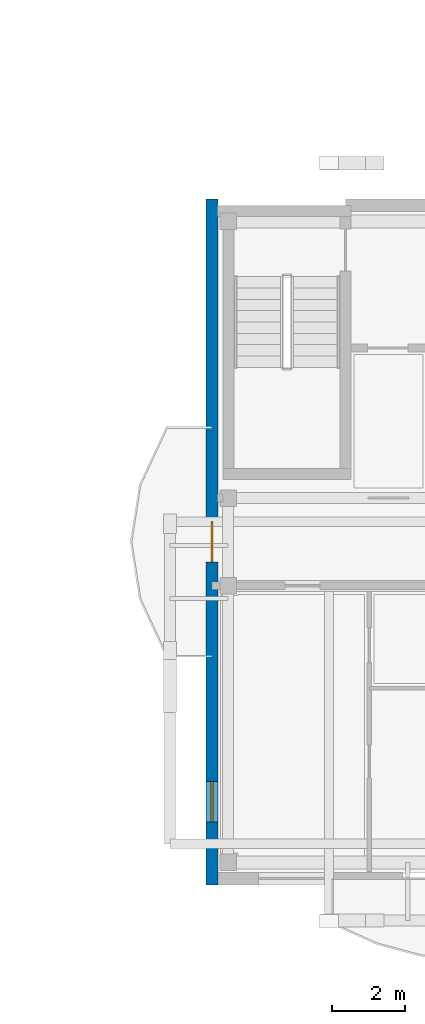
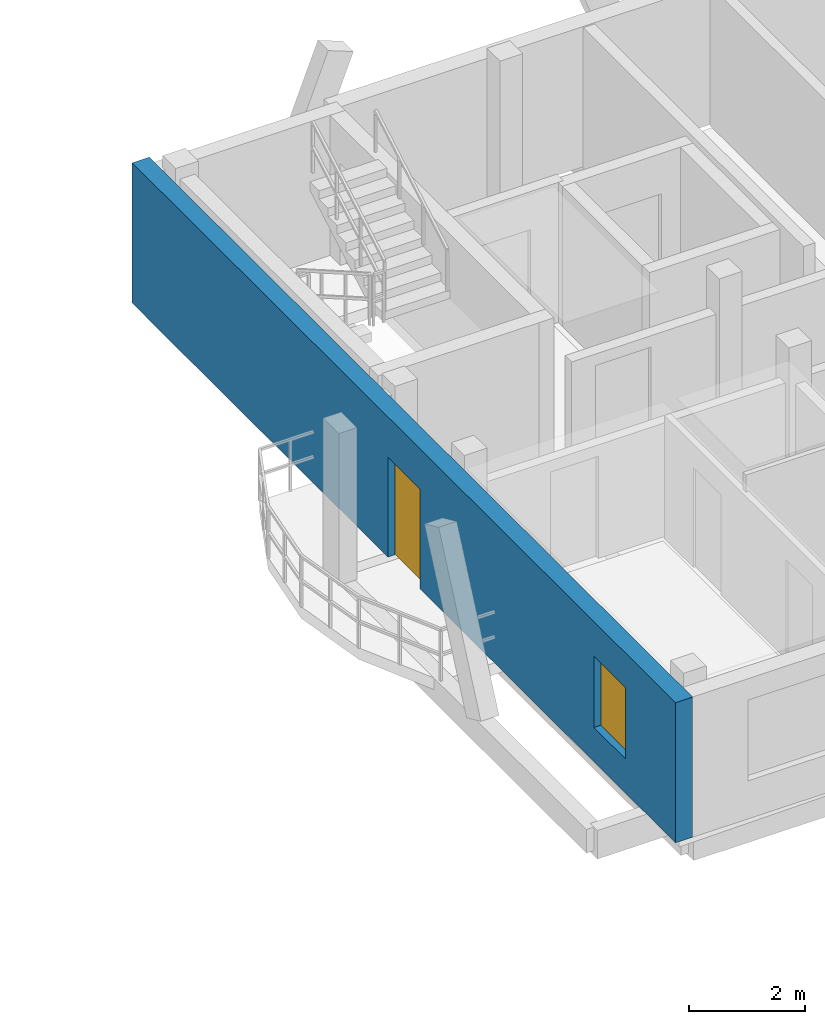
# One storey, part 19 of 42: 1 door, 1 wall, 1 window, 2 openings.
"""IFC4 building model written with IfcOpenShell, lengths in metres."""

from ifc_helpers import new_model, si_unit, direction, frame, frame_2d, origin, origin_with_axes, place, context, subcontext, project, spatial, rectangle, extrude, material, layer, layer_set, type_object, element, fill, save


model = new_model("IFC4")

# Units and contexts
model_context = context("Model", 3, precision=1e-05, world=origin(), true_north=direction((0.0, 1.0)))
body_context = subcontext(model_context, "Body", "Model", "MODEL_VIEW")
ifc_project = project(units=[si_unit("LENGTHUNIT", "METRE"), si_unit("AREAUNIT", "SQUARE_METRE"), si_unit("VOLUMEUNIT", "CUBIC_METRE"), si_unit("PLANEANGLEUNIT", "RADIAN"), si_unit("MASSUNIT", "GRAM", prefix="KILO")], contexts=[model_context])

# Site, building, storey
site_placement = place(None, origin())
site = spatial("IfcSite", under=ifc_project, at=site_placement, CompositionType="ELEMENT")
building_placement = place(site_placement, origin())
building = spatial("IfcBuilding", under=site, at=building_placement, Name="Zavelmont Quarter", CompositionType="ELEMENT")
storey_placement = place(building_placement, frame((0.0, 0.0, 24.0)))
storey = spatial("IfcBuildingStorey", under=building, at=storey_placement, Name="L07", CompositionType="ELEMENT", Elevation=24.0)

# Wall, openings, door, window
ifc_material_1 = material(Name="Natural Belgian limestone", Category="masonry")
ifc_layer = layer(ifc_material_1, 0.340087890625)
ifc_layer_set = layer_set([ifc_layer], Name="Natural Belgian limestone")
wall_type = type_object("IfcWallType", Name="EW03", PredefinedType="STANDARD", material=ifc_layer_set)
wall_placement = place(storey_placement, frame((126.60009765625, -0.169921875, 0.0), z_axis=(0.0, 0.0, 1.0), x_axis=(0.0, 1.0, 0.0)))
wall = element("IfcWall", 1, at=wall_placement, inside=storey, type_object=wall_type, Name="L07 exterior limestone wall EW03", PredefinedType="STANDARD", context=body_context, shape_type="SweptSolid", body=[
    extrude(rectangle(XDim=18.739990234375, YDim=0.340087890625, at=frame_2d((9.3701171875, 0.0))), origin(), (0.0, 0.0, 1.0), 2.949951171875),
])
opening_1_placement = place(wall_placement, frame((8.820068359375, 0.0, 0.0)))
opening_1 = element("IfcOpeningElement", 2, at=opening_1_placement, cuts=wall, Name="Opening DR04B", PredefinedType="OPENING", context=body_context, shape_type="SweptSolid", body=[
    extrude(rectangle(XDim=1.10009765625, YDim=2.10009765625, at=frame_2d((0.550048828125, 1.050048828125))), frame((0.0, 0.18212890625, 0.0), z_axis=(0.0, -1.0, 0.0), x_axis=(1.0, 0.0, 0.0)), (0.0, 0.0, 1.0), 0.364013671875),
])
opening_2_placement = place(wall_placement, frame((1.719970703125, 0.0, 0.719970703125)))
opening_2 = element("IfcOpeningElement", 3, at=opening_2_placement, cuts=wall, Name="Opening WN09", PredefinedType="OPENING", context=body_context, shape_type="SweptSolid", body=[
    extrude(rectangle(XDim=1.10009765625, YDim=1.5, at=frame_2d((0.550048828125, 0.75))), frame((0.0, 0.18212890625, 0.0), z_axis=(0.0, -1.0, 0.0), x_axis=(1.0, 0.0, 0.0)), (0.0, 0.0, 1.0), 0.364013671875),
])
ifc_material_2 = material(Name="Thermally broken aluminium and double safety glass", Category="aluminium")
door_type = type_object("IfcDoorType", Name="DR04B", OperationType="NOTDEFINED", PredefinedType="DOOR", material=ifc_material_2)
door_placement = place(opening_1_placement, frame((1.10009765625, 0.0, 0.0), z_axis=(0.0, 0.0, 1.0), x_axis=(-1.0, 0.0, 0.0)))
door = element("IfcDoor", 4, at=door_placement, inside=storey, type_object=door_type, Name="Block D L07 terrace or vase balcony door", OperationType="SINGLE_SWING_LEFT", OverallHeight=2.10009765625, OverallWidth=1.10009765625, PredefinedType="DOOR", context=body_context, shape_type="SweptSolid", body=[
    extrude(rectangle(XDim=1.10009765625, YDim=2.10009765625, at=frame_2d((0.550048828125, 1.050048828125))), frame((0.0, 0.02490234375, 0.0), z_axis=(0.0, -1.0, 0.0), x_axis=(1.0, 0.0, 0.0)), (0.0, 0.0, 1.0), 0.050048828125),
])
fill(opening_1, door)
ifc_material_3 = material(Name="Double low-E insulated glazing in thermally broken aluminium frame", Category="aluminium")
window_type = type_object("IfcWindowType", Name="WN09", PartitioningType="SINGLE_PANEL", PredefinedType="WINDOW", material=ifc_material_3)
window_placement = place(opening_2_placement, origin_with_axes())
window = element("IfcWindow", 5, at=window_placement, inside=storey, type_object=window_type, Name="L07 window WN09", OverallHeight=1.5, OverallWidth=1.10009765625, PartitioningType="SINGLE_PANEL", PredefinedType="WINDOW", context=body_context, shape_type="SweptSolid", body=[
    extrude(rectangle(XDim=1.10009765625, YDim=1.5, at=frame_2d((0.550048828125, 0.75))), frame((0.0, 0.030029296875, 0.0), z_axis=(0.0, -1.0, 0.0), x_axis=(1.0, 0.0, 0.0)), (0.0, 0.0, 1.0), 0.06005859375),
])
fill(opening_2, window)

save(model, "model.ifc")
